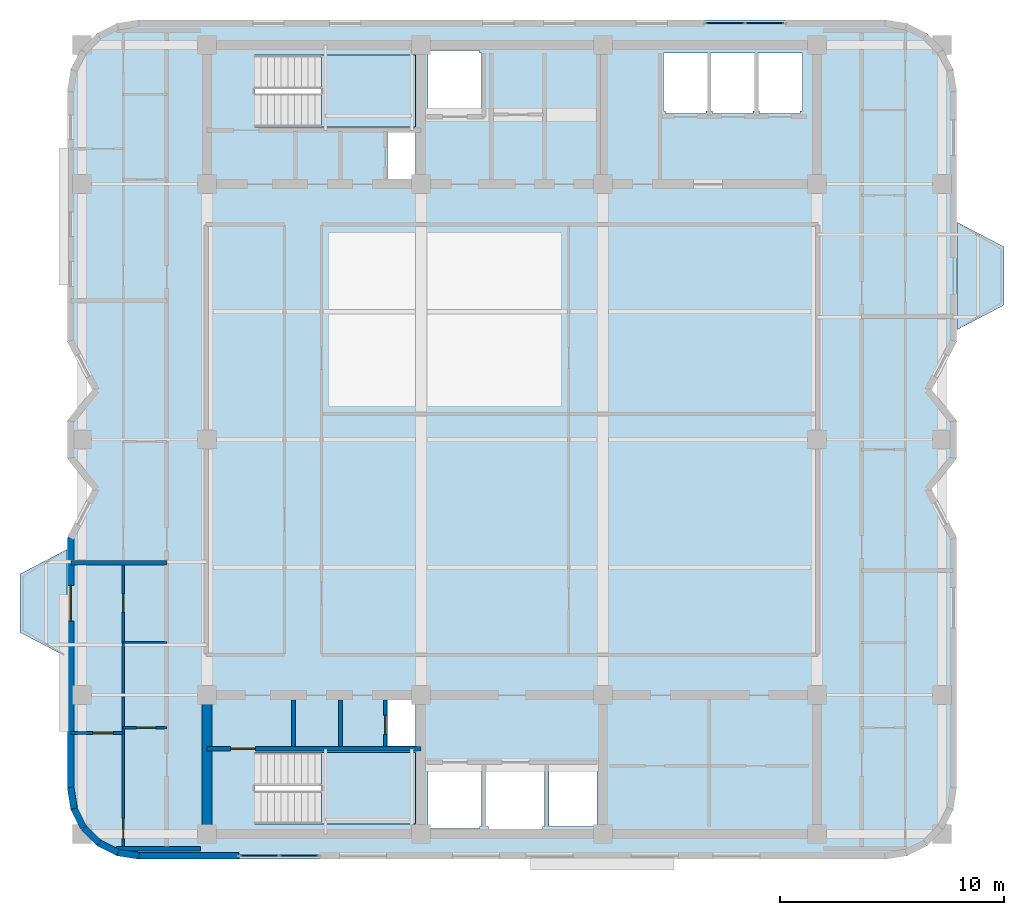
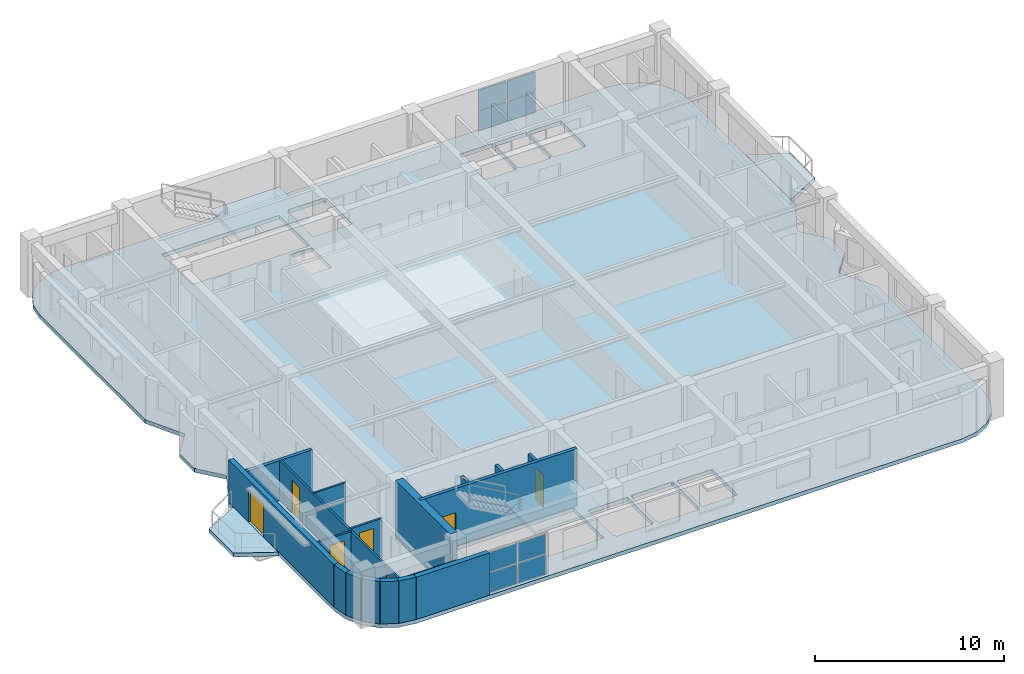
# One storey, part 5 of 12: 18 walls, 8 plates, 7 doors, 5 slabs, 7 openings, 4 elements without a shape of their own.
"""IFC4 building model written with IfcOpenShell, lengths in metres."""

from ifc_helpers import new_model, si_unit, direction, frame, frame_2d, origin, origin_2d, place, context, subcontext, project, spatial, polyline, rectangle, outline, extrude, material, layer, layer_set, type_object, element, fill, aggregate, save


model = new_model("IFC4")

# Units and contexts
model_context = context("Model", 3, precision=1e-05, world=origin(), true_north=direction((0.0, 1.0)))
body_context = subcontext(model_context, "Body", "Model", "MODEL_VIEW")
ifc_project = project(units=[si_unit("LENGTHUNIT", "METRE"), si_unit("AREAUNIT", "SQUARE_METRE"), si_unit("VOLUMEUNIT", "CUBIC_METRE"), si_unit("PLANEANGLEUNIT", "RADIAN"), si_unit("MASSUNIT", "GRAM", prefix="KILO")], contexts=[model_context])

# Site, building, storey
site_placement = place(None, origin())
site = spatial("IfcSite", under=ifc_project, at=site_placement, CompositionType="ELEMENT")
building_placement = place(site_placement, origin())
building = spatial("IfcBuilding", under=site, at=building_placement, Name="Svetorya Sky Lyceum", CompositionType="ELEMENT")
storey_placement = place(building_placement, frame((0.0, 0.0, 236.89990234375)))
storey = spatial("IfcBuildingStorey", under=building, at=storey_placement, Name="L59", CompositionType="ELEMENT", Elevation=236.89990234375)

# Curtain wall, plates
ifc_material_1 = material(Name="Thermally broken anodized aluminium and triple low-E glass", Category="aluminium")
curtain_wall_type = type_object("IfcCurtainWallType", Name="CW3-LOG-RES", PredefinedType="NOTDEFINED", material=ifc_material_1)
curtain_wall_1_placement = place(storey_placement, origin())
curtain_wall_1 = element("IfcCurtainWall", 1, at=curtain_wall_1_placement, inside=storey, type_object=curtain_wall_type, Name="L59 Recessed Loggia Curtain Wall 6", PredefinedType="NOTDEFINED")
ifc_material_2 = material(Name="Triple insulated low-E solar-control glass", Category="glass")
ifc_layer_1 = layer(ifc_material_2, 0.048095703125)
ifc_layer_set_1 = layer_set([ifc_layer_1], Name="Triple insulated low-E solar-control glass")
plate_type = type_object("IfcPlateType", Name="CWP-GLZ-48", PredefinedType="CURTAIN_PANEL", material=ifc_layer_set_1)
plate_1_placement = place(storey_placement, frame((27.92626953125, 9.6298828125, 0.0634765625), z_axis=(0.0, 0.0, 1.0), x_axis=(1.0, 0.0, 0.0)))
plate_1 = element("IfcPlate", 2, at=plate_1_placement, type_object=plate_type, Name="CW-3 panel 1.1", PredefinedType="CURTAIN_PANEL", context=body_context, shape_type="SweptSolid", body=[
    extrude(rectangle(XDim=1.70556640625, YDim=0.048095703125, at=origin_2d()), origin(), (0.0, 0.0, 1.0), 1.2705078125),
])
plate_2_placement = place(storey_placement, frame((27.92626953125, 9.6298828125, 1.39599609375), z_axis=(0.0, 0.0, 1.0), x_axis=(1.0, 0.0, 0.0)))
plate_2 = element("IfcPlate", 3, at=plate_2_placement, type_object=plate_type, Name="CW-3 panel 1.2", PredefinedType="CURTAIN_PANEL", context=body_context, shape_type="SweptSolid", body=[
    extrude(rectangle(XDim=1.70556640625, YDim=0.048095703125, at=origin_2d()), origin(), (0.0, 0.0, 1.0), 1.2705078125),
])
plate_3_placement = place(storey_placement, frame((29.69384765625, 9.6298828125, 0.0634765625), z_axis=(0.0, 0.0, 1.0), x_axis=(1.0, 0.0, 0.0)))
plate_3 = element("IfcPlate", 4, at=plate_3_placement, type_object=plate_type, Name="CW-3 panel 2.1", PredefinedType="CURTAIN_PANEL", context=body_context, shape_type="SweptSolid", body=[
    extrude(rectangle(XDim=1.70556640625, YDim=0.048095703125, at=origin_2d()), origin(), (0.0, 0.0, 1.0), 1.2705078125),
])
plate_4_placement = place(storey_placement, frame((29.69384765625, 9.6298828125, 1.39599609375), z_axis=(0.0, 0.0, 1.0), x_axis=(1.0, 0.0, 0.0)))
plate_4 = element("IfcPlate", 5, at=plate_4_placement, type_object=plate_type, Name="CW-3 panel 2.2", PredefinedType="CURTAIN_PANEL", context=body_context, shape_type="SweptSolid", body=[
    extrude(rectangle(XDim=1.70556640625, YDim=0.048095703125, at=origin_2d()), origin(), (0.0, 0.0, 1.0), 1.2705078125),
])
aggregate(curtain_wall_1, [plate_1, plate_2, plate_3, plate_4])

curtain_wall_2_placement = place(storey_placement, origin())
curtain_wall_2 = element("IfcCurtainWall", 6, at=curtain_wall_2_placement, inside=storey, type_object=curtain_wall_type, Name="L59 Recessed Loggia Curtain Wall 24", PredefinedType="NOTDEFINED")
plate_5_placement = place(storey_placement, frame((50.4736328125, 46.77001953125, 0.0634765625), z_axis=(0.0, 0.0, 1.0), x_axis=(-1.0, 0.0, 0.0)))
plate_5 = element("IfcPlate", 7, at=plate_5_placement, type_object=plate_type, Name="CW-3 panel 1.1", PredefinedType="CURTAIN_PANEL", context=body_context, shape_type="SweptSolid", body=[
    extrude(rectangle(XDim=1.70556640625, YDim=0.048095703125, at=origin_2d()), origin(), (0.0, 0.0, 1.0), 1.2705078125),
])
plate_6_placement = place(storey_placement, frame((50.4736328125, 46.77001953125, 1.39599609375), z_axis=(0.0, 0.0, 1.0), x_axis=(-1.0, 0.0, 0.0)))
plate_6 = element("IfcPlate", 8, at=plate_6_placement, type_object=plate_type, Name="CW-3 panel 1.2", PredefinedType="CURTAIN_PANEL", context=body_context, shape_type="SweptSolid", body=[
    extrude(rectangle(XDim=1.70556640625, YDim=0.048095703125, at=origin_2d()), origin(), (0.0, 0.0, 1.0), 1.2705078125),
])
plate_7_placement = place(storey_placement, frame((48.706298828125, 46.77001953125, 0.0634765625), z_axis=(0.0, 0.0, 1.0), x_axis=(-1.0, 0.0, 0.0)))
plate_7 = element("IfcPlate", 9, at=plate_7_placement, type_object=plate_type, Name="CW-3 panel 2.1", PredefinedType="CURTAIN_PANEL", context=body_context, shape_type="SweptSolid", body=[
    extrude(rectangle(XDim=1.70556640625, YDim=0.048095703125, at=origin_2d()), origin(), (0.0, 0.0, 1.0), 1.2705078125),
])
plate_8_placement = place(storey_placement, frame((48.706298828125, 46.77001953125, 1.39599609375), z_axis=(0.0, 0.0, 1.0), x_axis=(-1.0, 0.0, 0.0)))
plate_8 = element("IfcPlate", 10, at=plate_8_placement, type_object=plate_type, Name="CW-3 panel 2.2", PredefinedType="CURTAIN_PANEL", context=body_context, shape_type="SweptSolid", body=[
    extrude(rectangle(XDim=1.70556640625, YDim=0.048095703125, at=origin_2d()), origin(), (0.0, 0.0, 1.0), 1.2705078125),
])
aggregate(curtain_wall_2, [plate_5, plate_6, plate_7, plate_8])

# Slabs
ifc_material_3 = material(Name="Concrete C40/50", Category="concrete")
ifc_layer_2 = layer(ifc_material_3, 0.25)
ifc_layer_set_2 = layer_set([ifc_layer_2], Name="Concrete C40/50")
slab_type_1 = type_object("IfcSlabType", Name="SL-BAL-250", PredefinedType="FLOOR", material=ifc_layer_set_2)
slab_1_placement = place(storey_placement, frame((0.0, 0.0, -0.25)))
element("IfcSlab", 11, at=slab_1_placement, inside=storey, type_object=slab_type_1, Name="L59 Chamfered Loggia Balcony BAL-W1", PredefinedType="FLOOR", context=body_context, shape_type="SweptSolid", body=[
    extrude(outline(polyline([(19.35009765625, 18.5), (19.35009765625, 23.300048828125), (17.25, 22.199951171875), (17.25, 19.60009765625), (19.35009765625, 18.5)])), origin(), (0.0, 0.0, 1.0), 0.25),
])
slab_2_placement = place(storey_placement, frame((0.0, 0.0, -0.25)))
element("IfcSlab", 12, at=slab_2_placement, inside=storey, type_object=slab_type_1, Name="L59 Chamfered Loggia Balcony BAL-E1", PredefinedType="FLOOR", context=body_context, shape_type="SweptSolid", body=[
    extrude(outline(polyline([(59.050048828125, 33.10009765625), (61.14990234375, 34.199951171875), (61.14990234375, 36.800048828125), (59.050048828125, 37.89990234375), (59.050048828125, 33.10009765625)])), origin(), (0.0, 0.0, 1.0), 0.25),
])

# Stair, slab
stair_type_1 = type_object("IfcStairType", Name="STR-ST-S", PredefinedType="HALF_TURN_STAIR", material=ifc_material_3)
stair_1_placement = place(storey_placement, origin())
stair_1 = element("IfcStair", 13, at=stair_1_placement, inside=storey, type_object=stair_type_1, Name="L59 South Core Smoke-Free Exit Stair N2", PredefinedType="HALF_TURN_STAIR")
ifc_layer_3 = layer(ifc_material_3, 0.199951171875)
ifc_layer_set_3 = layer_set([ifc_layer_3], Name="Concrete C40/50")
slab_type_2 = type_object("IfcSlabType", Name="SL-STR-LAND-200", PredefinedType="LANDING", material=ifc_layer_set_3)
slab_3_placement = place(storey_placement, frame((0.0, 0.0, 1.650146484375)))
slab_3 = element("IfcSlab", 14, at=slab_3_placement, type_object=slab_type_2, Name="ST-S landing 1", PredefinedType="LANDING", context=body_context, shape_type="SweptSolid", body=[
    extrude(outline(polyline([(30.699951171875, 11.050048828125), (34.89990234375, 11.050048828125), (34.89990234375, 14.25), (30.699951171875, 14.25), (30.699951171875, 11.050048828125)])), origin(), (0.0, 0.0, 1.0), 0.199951171875),
])
aggregate(stair_1, [slab_3])

stair_type_2 = type_object("IfcStairType", Name="STR-ST-N", PredefinedType="HALF_TURN_STAIR", material=ifc_material_3)
stair_2_placement = place(storey_placement, origin())
stair_2 = element("IfcStair", 15, at=stair_2_placement, inside=storey, type_object=stair_type_2, Name="L59 North Core Smoke-Free Exit Stair N3", PredefinedType="HALF_TURN_STAIR")
slab_4_placement = place(storey_placement, frame((0.0, 0.0, 1.650146484375)))
slab_4 = element("IfcSlab", 16, at=slab_4_placement, type_object=slab_type_2, Name="ST-N landing 1", PredefinedType="LANDING", context=body_context, shape_type="SweptSolid", body=[
    extrude(outline(polyline([(30.699951171875, 42.14990234375), (34.89990234375, 42.14990234375), (34.89990234375, 45.35009765625), (30.699951171875, 45.35009765625), (30.699951171875, 42.14990234375)])), origin(), (0.0, 0.0, 1.0), 0.199951171875),
])
aggregate(stair_2, [slab_4])

# Slab
ifc_layer_4 = layer(ifc_material_3, 0.25)
ifc_layer_set_4 = layer_set([ifc_layer_4], Name="Concrete C40/50")
slab_type_3 = type_object("IfcSlabType", Name="SL-TWR-250", PredefinedType="FLOOR", material=ifc_layer_set_4)
slab_5_placement = place(storey_placement, frame((0.0, 0.0, -0.25)))
element("IfcSlab", 17, at=slab_5_placement, inside=storey, type_object=slab_type_3, Name="L59 Structural Floor Slab", PredefinedType="FLOOR", context=body_context, shape_type="SweptSolid", body=[
    extrude(outline(polyline([(19.360107421875, 12.679931640625), (19.5166015625, 11.691162109375), (19.97119140625, 10.799072265625), (20.67919921875, 10.091064453125), (21.571044921875, 9.63671875), (22.56005859375, 9.47998046875), (55.840087890625, 9.47998046875), (56.828857421875, 9.63671875), (57.720947265625, 10.091064453125), (58.428955078125, 10.799072265625), (58.88330078125, 11.691162109375), (59.0400390625, 12.679931640625), (59.0400390625, 23.800048828125), (57.889892578125, 26.0), (59.0400390625, 27.39990234375), (59.0400390625, 29.0), (57.889892578125, 30.39990234375), (59.0400390625, 32.60009765625), (59.0400390625, 43.719970703125), (58.88330078125, 44.708984375), (58.428955078125, 45.600830078125), (57.720947265625, 46.308837890625), (56.828857421875, 46.763427734375), (55.840087890625, 46.919921875), (22.56005859375, 46.919921875), (21.571044921875, 46.763427734375), (20.67919921875, 46.308837890625), (19.97119140625, 45.600830078125), (19.5166015625, 44.708984375), (19.360107421875, 43.719970703125), (19.360107421875, 32.60009765625), (20.510009765625, 30.39990234375), (19.360107421875, 29.0), (19.360107421875, 27.39990234375), (20.510009765625, 26.0), (19.360107421875, 23.800048828125), (19.360107421875, 12.679931640625)]), holes=[polyline([(37.85009765625, 10.949951171875), (37.75, 10.949951171875), (37.75, 10.85009765625), (35.550048828125, 10.85009765625), (35.550048828125, 10.949951171875), (35.449951171875, 10.949951171875), (35.449951171875, 13.64990234375), (35.550048828125, 13.64990234375), (37.75, 13.64990234375), (37.85009765625, 13.64990234375), (37.85009765625, 10.949951171875)]), polyline([(38.14990234375, 10.800048828125), (38.14990234375, 10.949951171875), (38.050048828125, 10.949951171875), (38.050048828125, 13.64990234375), (38.14990234375, 13.64990234375), (38.14990234375, 13.699951171875), (40.550048828125, 13.699951171875), (40.550048828125, 13.64990234375), (40.64990234375, 13.64990234375), (40.64990234375, 10.949951171875), (40.550048828125, 10.949951171875), (40.550048828125, 10.800048828125), (38.14990234375, 10.800048828125)]), polyline([(27.719970703125, 11.050048828125), (27.719970703125, 14.25), (34.89990234375, 14.25), (34.89990234375, 11.050048828125), (27.719970703125, 11.050048828125)]), polyline([(33.64990234375, 14.52001953125), (33.64990234375, 16.580078125), (34.89990234375, 16.580078125), (34.89990234375, 14.52001953125), (33.64990234375, 14.52001953125)]), polyline([(33.64990234375, 39.820068359375), (33.64990234375, 41.89990234375), (34.89990234375, 41.89990234375), (34.89990234375, 39.820068359375), (33.64990234375, 39.820068359375)]), polyline([(27.719970703125, 42.14990234375), (27.719970703125, 45.35009765625), (34.89990234375, 45.35009765625), (34.89990234375, 42.14990234375), (27.719970703125, 42.14990234375)]), polyline([(37.75, 42.75), (35.550048828125, 42.75), (35.449951171875, 42.75), (35.449951171875, 45.449951171875), (35.550048828125, 45.449951171875), (35.550048828125, 45.550048828125), (37.75, 45.550048828125), (37.75, 45.449951171875), (37.85009765625, 45.449951171875), (37.85009765625, 42.75), (37.75, 42.75)]), polyline([(40.85009765625, 10.949951171875), (40.85009765625, 13.64990234375), (43.0, 13.64990234375), (43.0, 10.949951171875), (40.85009765625, 10.949951171875)]), polyline([(46.050048828125, 42.75), (46.050048828125, 42.85009765625), (45.949951171875, 42.85009765625), (45.949951171875, 45.449951171875), (46.050048828125, 45.449951171875), (47.85009765625, 45.449951171875), (47.949951171875, 45.449951171875), (47.949951171875, 42.85009765625), (47.85009765625, 42.85009765625), (47.85009765625, 42.75), (46.050048828125, 42.75)]), polyline([(50.050048828125, 42.85009765625), (49.949951171875, 42.85009765625), (49.949951171875, 42.75), (48.14990234375, 42.75), (48.14990234375, 42.85009765625), (48.050048828125, 42.85009765625), (48.050048828125, 45.449951171875), (48.14990234375, 45.449951171875), (49.949951171875, 45.449951171875), (50.050048828125, 45.449951171875), (50.050048828125, 42.85009765625)]), polyline([(52.14990234375, 42.85009765625), (52.050048828125, 42.85009765625), (52.050048828125, 42.75), (50.25, 42.75), (50.25, 42.85009765625), (50.14990234375, 42.85009765625), (50.14990234375, 45.449951171875), (50.25, 45.449951171875), (52.050048828125, 45.449951171875), (52.14990234375, 45.449951171875), (52.14990234375, 42.85009765625)])]), origin(), (0.0, 0.0, 1.0), 0.25),
])

# Walls
ifc_material_4 = material(Name="Concrete C50/60", Category="concrete")
ifc_layer_5 = layer(ifc_material_4, 0.449951171875)
ifc_layer_set_5 = layer_set([ifc_layer_5], Name="Concrete C50/60")
wall_type_1 = type_object("IfcWallType", Name="WL-CORE-450", PredefinedType="SHEAR", material=ifc_layer_set_5)
wall_1_placement = place(storey_placement, frame((25.60009765625, 10.824951171875, 0.0), z_axis=(0.0, 0.0, 1.0), x_axis=(0.0, 1.0, 0.0)))
element("IfcWall", 18, at=wall_1_placement, inside=storey, type_object=wall_type_1, Name="L59 SC West Core Shear Wall", PredefinedType="SHEAR", context=body_context, shape_type="SweptSolid", body=[
    extrude(rectangle(XDim=5.75, YDim=0.449951171875, at=frame_2d((2.875, 0.0))), origin(), (0.0, 0.0, 1.0), 3.7001953125),
])
ifc_material_5 = material(Name="Putilovo limestone rainscreen on autoclaved cellular masonry", Category="masonry")
ifc_layer_6 = layer(ifc_material_5, 0.300048828125)
ifc_layer_set_6 = layer_set([ifc_layer_6], Name="Putilovo limestone rainscreen on autoclaved cellular masonry")
wall_type_2 = type_object("IfcWallType", Name="WL-EXT-300", PredefinedType="SOLIDWALL", material=ifc_layer_set_6)
wall_2_placement = place(storey_placement, frame((19.510009765625, 12.679931640625, 0.0), z_axis=(0.0, 0.0, 1.0), x_axis=(0.156343617883, -0.987702725088, 0.0)))
element("IfcWall", 19, at=wall_2_placement, inside=storey, type_object=wall_type_2, Name="L59 Limestone Exterior Wall 1M", PredefinedType="SOLIDWALL", context=body_context, shape_type="SweptSolid", body=[
    extrude(rectangle(XDim=0.9541015625, YDim=0.300048828125, at=frame_2d((0.47705078125, 0.0))), origin(), (0.0, 0.0, 1.0), 2.72998046875),
])
for number, where, z_axis, x_axis, name in (
    (20, (19.6591796875, 11.737548828125, 0.0), (0.0, 0.0, 1.0), (0.454056065666, -0.890973113642, 0.0), "L59 Limestone Exterior Wall 2M"),
    (21, (20.092529296875, 10.88720703125, 0.0), (0.0, 0.0, 1.0), (0.707106781187, -0.707106781187, 0.0), "L59 Limestone Exterior Wall 3M"),
):
    element("IfcWall", number, at=place(storey_placement, frame(where, z_axis=z_axis, x_axis=x_axis)), inside=storey, type_object=wall_type_2, Name=name, PredefinedType="SOLIDWALL", context=body_context, shape_type="SweptSolid", body=[
        extrude(rectangle(XDim=0.954345703125, YDim=0.300048828125, at=frame_2d((0.47705078125, 0.0))), origin(), (0.0, 0.0, 1.0), 2.72998046875),
    ])
wall_3_placement = place(storey_placement, frame((20.767333984375, 10.21240234375, 0.0), z_axis=(0.0, 0.0, 1.0), x_axis=(0.891023873617, -0.45395644796, 0.0)))
element("IfcWall", 22, at=wall_3_placement, inside=storey, type_object=wall_type_2, Name="L59 Limestone Exterior Wall 4M", PredefinedType="SOLIDWALL", context=body_context, shape_type="SweptSolid", body=[
    extrude(rectangle(XDim=0.9541015625, YDim=0.300048828125, at=frame_2d((0.47705078125, 0.0))), origin(), (0.0, 0.0, 1.0), 2.72998046875),
])
wall_4_placement = place(storey_placement, frame((21.617431640625, 9.779296875, 0.0), z_axis=(0.0, 0.0, 1.0), x_axis=(0.987669453596, -0.156553666304, 0.0)))
element("IfcWall", 23, at=wall_4_placement, inside=storey, type_object=wall_type_2, Name="L59 Limestone Exterior Wall 5M", PredefinedType="SOLIDWALL", context=body_context, shape_type="SweptSolid", body=[
    extrude(rectangle(XDim=0.954345703125, YDim=0.300048828125, at=frame_2d((0.47705078125, 0.0))), origin(), (0.0, 0.0, 1.0), 2.72998046875),
])
wall_5_placement = place(storey_placement, frame((22.56005859375, 9.6298828125, 0.0), z_axis=(0.0, 0.0, 1.0), x_axis=(1.0, 0.0, 0.0)))
element("IfcWall", 24, at=wall_5_placement, inside=storey, type_object=wall_type_2, Name="L59 Limestone Exterior Wall 6A", PredefinedType="SOLIDWALL", context=body_context, shape_type="SweptSolid", body=[
    extrude(rectangle(XDim=4.449951171875, YDim=0.300048828125, at=frame_2d((2.22509765625, 0.0))), origin(), (0.0, 0.0, 1.0), 2.72998046875),
])

# Wall, opening, door
wall_6_placement = place(storey_placement, frame((19.510009765625, 23.800048828125, 0.0), z_axis=(0.0, 0.0, 1.0), x_axis=(0.0, -1.0, 0.0)))
wall_6 = element("IfcWall", 25, at=wall_6_placement, inside=storey, type_object=wall_type_2, Name="L59 Limestone Exterior Wall 36M", PredefinedType="SOLIDWALL", context=body_context, shape_type="SweptSolid", body=[
    extrude(rectangle(XDim=11.1201171875, YDim=0.300048828125, at=frame_2d((5.56005859375, 0.0))), origin(), (0.0, 0.0, 1.0), 2.72998046875),
])
opening_1_placement = place(wall_6_placement, frame((2.10009765625, 0.0, 0.0)))
opening_1 = element("IfcOpeningElement", 26, at=opening_1_placement, cuts=wall_6, Name="Opening D-BL1", PredefinedType="OPENING", context=body_context, shape_type="SweptSolid", body=[
    extrude(rectangle(XDim=1.60009765625, YDim=2.10009765625, at=frame_2d((0.800048828125, 1.050048828125))), frame((0.0, 0.159912109375, 0.0), z_axis=(0.0, -1.0, 0.0), x_axis=(1.0, 0.0, 0.0)), (0.0, 0.0, 1.0), 0.320068359375),
])
ifc_material_6 = material(Name="Insulated glazed aluminium balcony door", Category="aluminium")
door_type_1 = type_object("IfcDoorType", Name="DR-BAL-1600", OperationType="DOUBLE_DOOR_SINGLE_SWING", PredefinedType="DOOR", material=ifc_material_6)
door_1_placement = place(opening_1_placement, origin())
door_1 = element("IfcDoor", 27, at=door_1_placement, inside=storey, type_object=door_type_1, Name="L59 Balcony BAL-W1 Door", OperationType="DOUBLE_DOOR_SINGLE_SWING", OverallHeight=2.10009765625, OverallWidth=1.60009765625, PredefinedType="DOOR", context=body_context, shape_type="SweptSolid", body=[
    extrude(rectangle(XDim=1.60009765625, YDim=2.10009765625, at=frame_2d((0.800048828125, 1.050048828125))), frame((0.0, 0.02490234375, 0.0), z_axis=(0.0, -1.0, 0.0), x_axis=(1.0, 0.0, 0.0)), (0.0, 0.0, 1.0), 0.050048828125),
])
fill(opening_1, door_1)

# Wall
ifc_material_7 = material(Name="Galvanized stud partition with moisture-resistant board", Category="gypsum")
ifc_layer_7 = layer(ifc_material_7, 0.10009765625)
ifc_layer_set_7 = layer_set([ifc_layer_7], Name="Galvanized stud partition with moisture-resistant board")
wall_type_3 = type_object("IfcWallType", Name="WL-PART-100", PredefinedType="PARTITIONING", material=ifc_layer_set_7)
wall_7_placement = place(storey_placement, frame((21.85009765625, 19.14990234375, 0.0), z_axis=(0.0, 0.0, 1.0), x_axis=(1.0, 0.0, 0.0)))
element("IfcWall", 28, at=wall_7_placement, inside=storey, type_object=wall_type_3, Name="L59 Interior Partition W1-WH2", PredefinedType="PARTITIONING", context=body_context, shape_type="SweptSolid", body=[
    extrude(rectangle(XDim=1.949951171875, YDim=0.10009765625, at=frame_2d((0.97509765625, 0.0))), origin(), (0.0, 0.0, 1.0), 2.56005859375),
])

# Wall, opening, door
ifc_material_8 = material(Name="Twin-stud galvanized framing with double fireboard", Category="gypsum")
ifc_layer_8 = layer(ifc_material_8, 0.1201171875)
ifc_layer_set_8 = layer_set([ifc_layer_8], Name="Twin-stud galvanized framing with double fireboard")
wall_type_4 = type_object("IfcWallType", Name="WL-PART-120", PredefinedType="PARTITIONING", material=ifc_layer_set_8)
wall_8_placement = place(storey_placement, frame((21.85009765625, 15.35009765625, 0.0), z_axis=(0.0, 0.0, 1.0), x_axis=(1.0, 0.0, 0.0)))
wall_8 = element("IfcWall", 29, at=wall_8_placement, inside=storey, type_object=wall_type_4, Name="L59 Interior Partition W1-WH1", PredefinedType="PARTITIONING", context=body_context, shape_type="SweptSolid", body=[
    extrude(rectangle(XDim=1.949951171875, YDim=0.1201171875, at=frame_2d((0.97509765625, 0.0))), origin(), (0.0, 0.0, 1.0), 2.56005859375),
])
opening_2_placement = place(wall_8_placement, frame((0.60009765625, 0.0, 0.0)))
opening_2 = element("IfcOpeningElement", 30, at=opening_2_placement, cuts=wall_8, Name="Opening D-BT1", PredefinedType="OPENING", context=body_context, shape_type="SweptSolid", body=[
    extrude(rectangle(XDim=0.85009765625, YDim=2.10009765625, at=frame_2d((0.425048828125, 1.050048828125))), frame((0.0, 0.070068359375, 0.0), z_axis=(0.0, -1.0, 0.0), x_axis=(1.0, 0.0, 0.0)), (0.0, 0.0, 1.0), 0.14013671875),
])
ifc_material_9 = material(Name="Moisture-resistant laminate bathroom door")
door_type_2 = type_object("IfcDoorType", Name="DR-WET-850", OperationType="SINGLE_SWING_LEFT", PredefinedType="DOOR", material=ifc_material_9)
door_2_placement = place(opening_2_placement, origin())
door_2 = element("IfcDoor", 31, at=door_2_placement, inside=storey, type_object=door_type_2, Name="Apartment W1 Bathroom Door", OperationType="SINGLE_SWING_LEFT", OverallHeight=2.10009765625, OverallWidth=0.85009765625, PredefinedType="DOOR", context=body_context, shape_type="SweptSolid", body=[
    extrude(rectangle(XDim=0.85009765625, YDim=2.10009765625, at=frame_2d((0.425048828125, 1.050048828125))), frame((0.0, 0.02490234375, 0.0), z_axis=(0.0, -1.0, 0.0), x_axis=(1.0, 0.0, 0.0)), (0.0, 0.0, 1.0), 0.050048828125),
])
fill(opening_2, door_2)

wall_9_placement = place(storey_placement, frame((19.530029296875, 15.110107421875, 0.0), z_axis=(0.0, 0.0, 1.0), x_axis=(1.0, 0.0, 0.0)))
wall_9 = element("IfcWall", 32, at=wall_9_placement, inside=storey, type_object=wall_type_4, Name="L59 Interior Partition W1-WL1", PredefinedType="PARTITIONING", context=body_context, shape_type="SweptSolid", body=[
    extrude(rectangle(XDim=2.320068359375, YDim=0.1201171875, at=frame_2d((1.16015625, 0.0))), origin(), (0.0, 0.0, 1.0), 2.56005859375),
])
opening_3_placement = place(wall_9_placement, frame((0.969970703125, 0.0, 0.0)))
opening_3 = element("IfcOpeningElement", 33, at=opening_3_placement, cuts=wall_9, Name="Opening D-RM1", PredefinedType="OPENING", context=body_context, shape_type="SweptSolid", body=[
    extrude(rectangle(XDim=0.89990234375, YDim=2.10009765625, at=frame_2d((0.449951171875, 1.050048828125))), frame((0.0, 0.070068359375, 0.0), z_axis=(0.0, -1.0, 0.0), x_axis=(1.0, 0.0, 0.0)), (0.0, 0.0, 1.0), 0.14013671875),
])
ifc_material_10 = material(Name="Lacquered birch veneer internal door")
door_type_3 = type_object("IfcDoorType", Name="DR-INT-900", OperationType="SINGLE_SWING_LEFT", PredefinedType="DOOR", material=ifc_material_10)
door_3_placement = place(opening_3_placement, origin())
door_3 = element("IfcDoor", 34, at=door_3_placement, inside=storey, type_object=door_type_3, Name="Apartment W1 Bedroom 1 Door", OperationType="SINGLE_SWING_LEFT", OverallHeight=2.10009765625, OverallWidth=0.89990234375, PredefinedType="DOOR", context=body_context, shape_type="SweptSolid", body=[
    extrude(rectangle(XDim=0.89990234375, YDim=2.10009765625, at=frame_2d((0.449951171875, 1.050048828125))), frame((0.0, 0.02490234375, 0.0), z_axis=(0.0, -1.0, 0.0), x_axis=(1.0, 0.0, 0.0)), (0.0, 0.0, 1.0), 0.050048828125),
])
fill(opening_3, door_3)

# Wall, openings, doors
wall_10_placement = place(storey_placement, frame((21.85009765625, 9.989990234375, 0.0), z_axis=(0.0, 0.0, 1.0), x_axis=(0.0, 1.0, 0.0)))
wall_10 = element("IfcWall", 35, at=wall_10_placement, inside=storey, type_object=wall_type_4, Name="L59 Interior Partition W1-WV", PredefinedType="PARTITIONING", context=body_context, shape_type="SweptSolid", body=[
    extrude(rectangle(XDim=12.669921875, YDim=0.1201171875, at=frame_2d((6.3349609375, 0.0))), origin(), (0.0, 0.0, 1.0), 2.56005859375),
])
opening_4_placement = place(wall_10_placement, frame((0.409912109375, 0.0, 0.0)))
opening_4 = element("IfcOpeningElement", 36, at=opening_4_placement, cuts=wall_10, Name="Opening D-RM1", PredefinedType="OPENING", context=body_context, shape_type="SweptSolid", body=[
    extrude(rectangle(XDim=0.89990234375, YDim=2.10009765625, at=frame_2d((0.449951171875, 1.050048828125))), frame((0.0, 0.070068359375, 0.0), z_axis=(0.0, -1.0, 0.0), x_axis=(1.0, 0.0, 0.0)), (0.0, 0.0, 1.0), 0.14013671875),
])
opening_5_placement = place(wall_10_placement, frame((10.510009765625, 0.0, 0.0)))
opening_5 = element("IfcOpeningElement", 37, at=opening_5_placement, cuts=wall_10, Name="Opening D-BT2", PredefinedType="OPENING", context=body_context, shape_type="SweptSolid", body=[
    extrude(rectangle(XDim=0.820068359375, YDim=2.080078125, at=frame_2d((0.41015625, 1.0400390625))), frame((0.0, 0.070068359375, 0.0), z_axis=(0.0, -1.0, 0.0), x_axis=(1.0, 0.0, 0.0)), (0.0, 0.0, 1.0), 0.14013671875),
])
door_4_placement = place(opening_4_placement, origin())
door_4 = element("IfcDoor", 38, at=door_4_placement, inside=storey, type_object=door_type_3, Name="Apartment W1 Living Door", OperationType="SINGLE_SWING_RIGHT", OverallHeight=2.10009765625, OverallWidth=0.89990234375, PredefinedType="DOOR", context=body_context, shape_type="SweptSolid", body=[
    extrude(rectangle(XDim=0.89990234375, YDim=2.10009765625, at=frame_2d((0.449951171875, 1.050048828125))), frame((0.0, 0.02490234375, 0.0), z_axis=(0.0, -1.0, 0.0), x_axis=(1.0, 0.0, 0.0)), (0.0, 0.0, 1.0), 0.050048828125),
])
fill(opening_4, door_4)
ifc_material_11 = material(Name="Compact moisture-resistant laminate closet door")
door_type_4 = type_object("IfcDoorType", Name="DR-WET-820", OperationType="SINGLE_SWING_LEFT", PredefinedType="DOOR", material=ifc_material_11)
door_5_placement = place(opening_5_placement, origin())
door_5 = element("IfcDoor", 39, at=door_5_placement, inside=storey, type_object=door_type_4, Name="Apartment W1 Study Door", OperationType="SINGLE_SWING_LEFT", OverallHeight=2.080078125, OverallWidth=0.820068359375, PredefinedType="DOOR", context=body_context, shape_type="SweptSolid", body=[
    extrude(rectangle(XDim=0.820068359375, YDim=2.080078125, at=frame_2d((0.41015625, 1.0400390625))), frame((0.0, 0.02490234375, 0.0), z_axis=(0.0, -1.0, 0.0), x_axis=(1.0, 0.0, 0.0)), (0.0, 0.0, 1.0), 0.050048828125),
])
fill(opening_5, door_5)

# Wall, opening, door
ifc_material_12 = material(Name="Autoclaved cellular masonry blockwork with acoustic render", Category="masonry")
ifc_layer_9 = layer(ifc_material_12, 0.14990234375)
ifc_layer_set_9 = layer_set([ifc_layer_9], Name="Autoclaved cellular masonry blockwork with acoustic render")
wall_type_5 = type_object("IfcWallType", Name="WL-PART-150", PredefinedType="PARTITIONING", material=ifc_layer_set_9)
wall_11_placement = place(storey_placement, frame((33.550048828125, 14.5, 0.0), z_axis=(0.0, 0.0, 1.0), x_axis=(0.0, 1.0, 0.0)))
wall_11 = element("IfcWall", 40, at=wall_11_placement, inside=storey, type_object=wall_type_5, Name="L59 Interior Partition SC-SWD3", PredefinedType="PARTITIONING", context=body_context, shape_type="SweptSolid", body=[
    extrude(rectangle(XDim=2.080078125, YDim=0.14990234375, at=frame_2d((1.0400390625, 0.0))), origin(), (0.0, 0.0, 1.0), 2.56005859375),
])
opening_6_placement = place(wall_11_placement, frame((0.550048828125, 0.0, 0.0)))
opening_6 = element("IfcOpeningElement", 41, at=opening_6_placement, cuts=wall_11, Name="Opening D-SH1", PredefinedType="OPENING", context=body_context, shape_type="SweptSolid", body=[
    extrude(rectangle(XDim=0.85009765625, YDim=2.050048828125, at=frame_2d((0.425048828125, 1.02490234375))), frame((0.0, 0.0849609375, 0.0), z_axis=(0.0, -1.0, 0.0), x_axis=(1.0, 0.0, 0.0)), (0.0, 0.0, 1.0), 0.169921875),
])
ifc_material_13 = material(Name="Insulated galvanized riser inspection fire door")
door_type_5 = type_object("IfcDoorType", Name="DR-SHFT-850", OperationType="SINGLE_SWING_LEFT", PredefinedType="TRAPDOOR", material=ifc_material_13)
door_6_placement = place(opening_6_placement, origin())
door_6 = element("IfcDoor", 42, at=door_6_placement, inside=storey, type_object=door_type_5, Name="L59 South Riser Access Door", OperationType="SINGLE_SWING_RIGHT", OverallHeight=2.050048828125, OverallWidth=0.85009765625, PredefinedType="TRAPDOOR", context=body_context, shape_type="SweptSolid", body=[
    extrude(rectangle(XDim=0.85009765625, YDim=2.050048828125, at=frame_2d((0.425048828125, 1.02490234375))), frame((0.0, 0.02490234375, 0.0), z_axis=(0.0, -1.0, 0.0), x_axis=(1.0, 0.0, 0.0)), (0.0, 0.0, 1.0), 0.050048828125),
])
fill(opening_6, door_6)

# Walls
ifc_material_14 = material(Name="Autoclaved cellular masonry blockwork with fire render", Category="masonry")
ifc_layer_10 = layer(ifc_material_14, 0.175048828125)
ifc_layer_set_10 = layer_set([ifc_layer_10], Name="Autoclaved cellular masonry blockwork with fire render")
wall_type_6 = type_object("IfcWallType", Name="WL-PART-175", PredefinedType="PARTITIONING", material=ifc_layer_set_10)
for number, where, z_axis, x_axis, name in (
    (43, (29.449951171875, 14.5, 0.0), (0.0, 0.0, 1.0), (0.0, 1.0, 0.0), "L59 Interior Partition SC-SWD1"),
    (44, (31.550048828125, 14.5, 0.0), (0.0, 0.0, 1.0), (0.0, 1.0, 0.0), "L59 Interior Partition SC-SWD2"),
):
    element("IfcWall", number, at=place(storey_placement, frame(where, z_axis=z_axis, x_axis=x_axis)), inside=storey, type_object=wall_type_6, Name=name, PredefinedType="PARTITIONING", context=body_context, shape_type="SweptSolid", body=[
        extrude(rectangle(XDim=2.080078125, YDim=0.175048828125, at=frame_2d((1.0400390625, 0.0))), origin(), (0.0, 0.0, 1.0), 2.56005859375),
    ])
ifc_material_15 = material(Name="Autoclaved cellular masonry blockwork with gypsum plaster", Category="masonry")
ifc_layer_11 = layer(ifc_material_15, 0.199951171875)
ifc_layer_set_11 = layer_set([ifc_layer_11], Name="Autoclaved cellular masonry blockwork with gypsum plaster")
wall_type_7 = type_object("IfcWallType", Name="WL-PART-200", PredefinedType="PARTITIONING", material=ifc_layer_set_11)
wall_12_placement = place(storey_placement, frame((19.530029296875, 22.699951171875, 0.0), z_axis=(0.0, 0.0, 1.0), x_axis=(1.0, 0.0, 0.0)))
element("IfcWall", 45, at=wall_12_placement, inside=storey, type_object=wall_type_7, Name="L59 Interior Partition W-PARTY-1", PredefinedType="PARTITIONING", context=body_context, shape_type="SweptSolid", body=[
    extrude(rectangle(XDim=4.27001953125, YDim=0.199951171875, at=frame_2d((2.135009765625, 0.0))), origin(), (0.0, 0.0, 1.0), 2.56005859375),
])
wall_13_placement = place(storey_placement, frame((21.5458984375, 9.949951171875, 0.0), z_axis=(0.0, 0.0, 1.0), x_axis=(1.0, 0.0, 0.0)))
element("IfcWall", 46, at=wall_13_placement, inside=storey, type_object=wall_type_7, Name="L59 Interior Partition W-CAP-S", PredefinedType="PARTITIONING", context=body_context, shape_type="SweptSolid", body=[
    extrude(rectangle(XDim=3.754150390625, YDim=0.199951171875, at=frame_2d((1.876953125, 0.0))), origin(), (0.0, 0.0, 1.0), 2.56005859375),
])

# Wall, opening, door
ifc_layer_12 = layer(ifc_material_4, 0.199951171875)
ifc_layer_set_12 = layer_set([ifc_layer_12], Name="Concrete C50/60")
wall_type_8 = type_object("IfcWallType", Name="WL-SHW-200", PredefinedType="SHEAR", material=ifc_layer_set_12)
wall_14_placement = place(storey_placement, frame((25.60009765625, 14.39990234375, 0.0), z_axis=(0.0, 0.0, 1.0), x_axis=(1.0, 0.0, 0.0)))
wall_14 = element("IfcWall", 47, at=wall_14_placement, inside=storey, type_object=wall_type_8, Name="L59 Structural Stair Shaft Wall SC-STW", PredefinedType="SHEAR", context=body_context, shape_type="SweptSolid", body=[
    extrude(rectangle(XDim=9.5498046875, YDim=0.199951171875, at=frame_2d((4.77490234375, 0.0))), origin(), (0.0, 0.0, 1.0), 3.7001953125),
])
opening_7_placement = place(wall_14_placement, frame((1.050048828125, 0.0, 0.0)))
opening_7 = element("IfcOpeningElement", 48, at=opening_7_placement, cuts=wall_14, Name="Opening D-ST1", PredefinedType="OPENING", context=body_context, shape_type="SweptSolid", body=[
    extrude(rectangle(XDim=1.10009765625, YDim=2.14990234375, at=frame_2d((0.550048828125, 1.074951171875))), frame((0.0, 0.10986328125, 0.0), z_axis=(0.0, -1.0, 0.0), x_axis=(1.0, 0.0, 0.0)), (0.0, 0.0, 1.0), 0.219970703125),
])
ifc_material_16 = material(Name="Powder-coated insulated galvanized stair fire door")
door_type_6 = type_object("IfcDoorType", Name="DR-FIRE-1100", OperationType="SINGLE_SWING_LEFT", PredefinedType="DOOR", material=ifc_material_16)
door_7_placement = place(opening_7_placement, origin())
door_7 = element("IfcDoor", 49, at=door_7_placement, inside=storey, type_object=door_type_6, Name="L59 Stair ST-S Vestibule Fire Door", OperationType="SINGLE_SWING_LEFT", OverallHeight=2.14990234375, OverallWidth=1.10009765625, PredefinedType="DOOR", context=body_context, shape_type="SweptSolid", body=[
    extrude(rectangle(XDim=1.10009765625, YDim=2.14990234375, at=frame_2d((0.550048828125, 1.074951171875))), frame((0.0, 0.02490234375, 0.0), z_axis=(0.0, -1.0, 0.0), x_axis=(1.0, 0.0, 0.0)), (0.0, 0.0, 1.0), 0.050048828125),
])
fill(opening_7, door_7)

save(model, "model.ifc")
